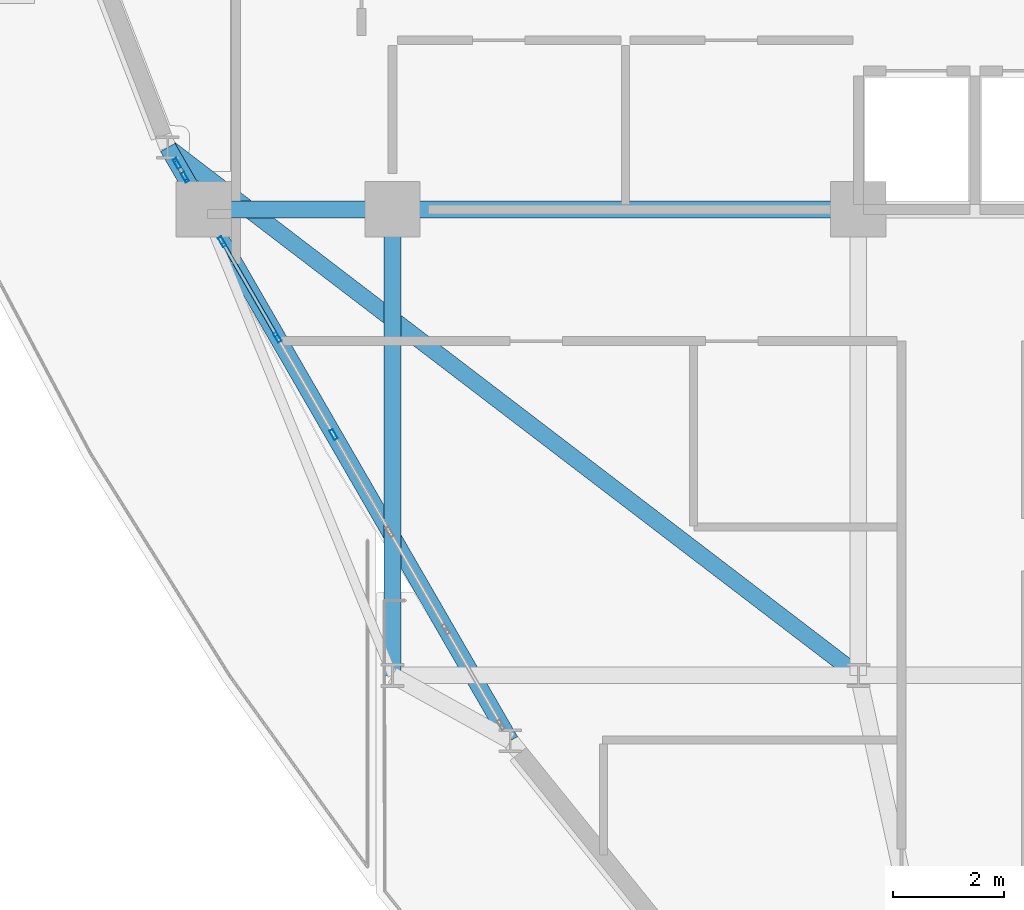
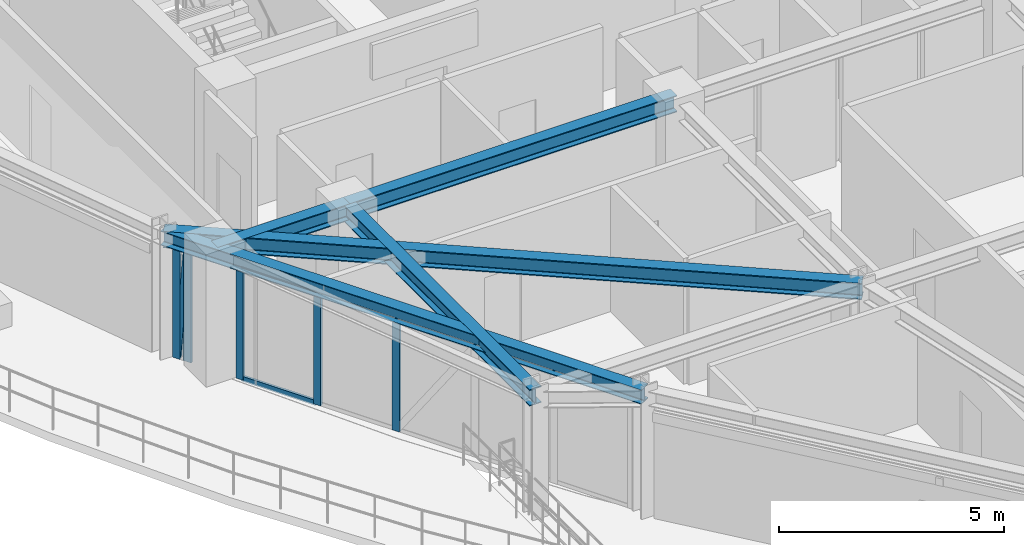
# One storey, part 4 of 19: 8 members, 5 beams, 2 elements without a shape of their own.
"""IFC4 building model written with IfcOpenShell, lengths in metres."""

from ifc_helpers import new_model, si_unit, derived_unit, direction, frame, origin, origin_2d, place, context, subcontext, project, spatial, hollow_rectangle, i_section, extrude, source, transform, mapped, material, layer, layer_set, material_profile, profile_set, type_object, element, aggregate, save


model = new_model("IFC4")

# Units and contexts
model_context = context("Model", 3, precision=1e-05, world=origin(), true_north=direction((0.0, 1.0)))
body_context = subcontext(model_context, "Body", "Model", "MODEL_VIEW")
ifc_project = project(units=[si_unit("LENGTHUNIT", "METRE"), si_unit("AREAUNIT", "SQUARE_METRE"), si_unit("VOLUMEUNIT", "CUBIC_METRE"), si_unit("PLANEANGLEUNIT", "RADIAN"), si_unit("MASSUNIT", "GRAM", prefix="KILO"), derived_unit("THERMALTRANSMITTANCEUNIT", [(si_unit("POWERUNIT", "WATT"), 1), (si_unit("LENGTHUNIT", "METRE"), -2), (si_unit("THERMODYNAMICTEMPERATUREUNIT", "KELVIN"), -1)])], contexts=[model_context])

# Site, building, storey
site_placement = place(None, origin())
site = spatial("IfcSite", under=ifc_project, at=site_placement, CompositionType="ELEMENT")
building_placement = place(site_placement, origin())
building = spatial("IfcBuilding", under=site, at=building_placement, Name="Korsvarv Bourse and Concert Hall", CompositionType="ELEMENT")
storey_placement = place(building_placement, frame((0.0, 0.0, 205.800048828125)))
storey = spatial("IfcBuildingStorey", under=building, at=storey_placement, Name="L53", CompositionType="ELEMENT", Elevation=205.800048828125)

# Beams
ifc_material_1 = material(Name="Steel S355", Category="steel")
ifc_material_profile_1 = material_profile(ifc_material_1, i_section(OverallWidth=0.300048828125, OverallDepth=0.449951171875, WebThickness=0.013916015625, FlangeThickness=0.02587890625, FilletRadius=0.02099609375, at=origin_2d()), Name="HEB 450")
ifc_profile_set_1 = profile_set([ifc_material_profile_1], Name="Steel S355")
beam_type_1 = type_object("IfcBeamType", Name="BM-HEB450", PredefinedType="SPANDREL", material=ifc_profile_set_1)
shared_shape_1 = source(origin(), body_context, "Body", "SweptSolid", [
    extrude(i_section(OverallWidth=0.300048828125, OverallDepth=0.449951171875, WebThickness=0.013916015625, FlangeThickness=0.02587890625, FilletRadius=0.02099609375, at=origin_2d()), origin(), (0.0, 0.0, 1.0), 3.400146484375),
])
beam_1_placement = place(storey_placement, frame((24.199951171875, 32.39990234375, 3.18505859375), z_axis=(1.0, 0.0, 0.0), x_axis=(0.0, 1.0, 0.0)))
element("IfcBeam", 1, at=beam_1_placement, inside=storey, type_object=beam_type_1, Name="L53 beam B-08", PredefinedType="SPANDREL", context=body_context, shape_type="MappedRepresentation", body=[
    mapped(shared_shape_1, transform((0.0, 0.0, 0.0), scale=1.0)),
])
shared_shape_2 = source(origin(), body_context, "Body", "SweptSolid", [
    extrude(i_section(OverallWidth=0.300048828125, OverallDepth=0.449951171875, WebThickness=0.013916015625, FlangeThickness=0.02587890625, FilletRadius=0.02099609375, at=origin_2d()), origin(), (0.0, 0.0, 1.0), 8.39990234375),
])
for number, where, z_axis, x_axis, name in (
    (2, (27.60009765625, 32.39990234375, 3.18505859375), (1.0, 0.0, 0.0), (0.0, 1.0, 0.0), "L53 beam B-08"),
    (3, (27.60009765625, 24.0, 3.18505859375), (0.0, 1.0, 0.0), (-1.0, 0.0, 0.0), "L53 beam B-08"),
):
    element("IfcBeam", number, at=place(storey_placement, frame(where, z_axis=z_axis, x_axis=x_axis)), inside=storey, type_object=beam_type_1, Name=name, PredefinedType="SPANDREL", context=body_context, shape_type="MappedRepresentation", body=[
        mapped(shared_shape_2, transform((0.0, 0.0, 0.0), scale=1.0)),
    ])
ifc_material_profile_2 = material_profile(ifc_material_1, i_section(OverallWidth=0.300048828125, OverallDepth=0.389892578125, WebThickness=0.010986328125, FlangeThickness=0.01904296875, FilletRadius=0.02099609375, at=origin_2d()), Name="HEA 400")
ifc_profile_set_2 = profile_set([ifc_material_profile_2], Name="Steel S355")
beam_type_2 = type_object("IfcBeamType", Name="BM-HEA400", PredefinedType="BEAM", material=ifc_profile_set_2)
shared_shape_3 = source(origin(), body_context, "Body", "SweptSolid", [
    extrude(i_section(OverallWidth=0.300048828125, OverallDepth=0.389892578125, WebThickness=0.010986328125, FlangeThickness=0.01904296875, FilletRadius=0.02099609375, at=origin_2d()), origin(), (0.0, 0.0, 1.0), 12.353271484375),
])
beam_2_placement = place(storey_placement, frame((23.548095703125, 33.518310546875, 3.21484375), z_axis=(0.500007577232, -0.866021029023, 0.0), x_axis=(0.866021029023, 0.500007577232, 0.0)))
element("IfcBeam", 4, at=beam_2_placement, inside=storey, type_object=beam_type_2, Name="L53 beam B-11", PredefinedType="BEAM", context=body_context, shape_type="MappedRepresentation", body=[
    mapped(shared_shape_3, transform((0.0, 0.0, 0.0), scale=1.0)),
])
shared_shape_4 = source(origin(), body_context, "Body", "SweptSolid", [
    extrude(i_section(OverallWidth=0.300048828125, OverallDepth=0.449951171875, WebThickness=0.013916015625, FlangeThickness=0.02587890625, FilletRadius=0.02099609375, at=origin_2d()), origin(), (0.0, 0.0, 1.0), 15.673095703125),
])
beam_3_placement = place(storey_placement, frame((23.548095703125, 33.518310546875, 3.18505859375), z_axis=(0.794472775514, -0.607299768621, 0.0), x_axis=(0.607299768621, 0.794472775514, 0.0)))
element("IfcBeam", 5, at=beam_3_placement, inside=storey, type_object=beam_type_1, Name="L53 beam B-08", PredefinedType="SPANDREL", context=body_context, shape_type="MappedRepresentation", body=[
    mapped(shared_shape_4, transform((0.0, 0.0, 0.0), scale=1.0)),
])

# Curtain wall, members
ifc_material_2 = material(Name="Anodised aluminium and triple low-E glazing", Category="glass")
ifc_layer = layer(ifc_material_2, 0.199951171875)
ifc_layer_set = layer_set([ifc_layer], Name="Anodised aluminium and triple low-E glazing")
curtain_wall_type = type_object("IfcCurtainWallType", Name="CW-SYS-3", PredefinedType="NOTDEFINED", material=ifc_layer_set)
curtain_wall_1_placement = place(storey_placement, origin())
curtain_wall_1 = element("IfcCurtainWall", 6, at=curtain_wall_1_placement, inside=storey, type_object=curtain_wall_type, Name="L53 CW3 curtain wall CW-L53-F07-2", PredefinedType="NOTDEFINED")
ifc_material_3 = material(Name="Extruded aluminium EN AW-6063 T66", Category="aluminium")
ifc_material_profile_3 = material_profile(ifc_material_3, hollow_rectangle(XDim=0.070068359375, YDim=0.18994140625, WallThickness=0.0048828125, at=origin_2d()), Name="ALU-M 70x190")
ifc_profile_set_3 = profile_set([ifc_material_profile_3], Name="Extruded aluminium EN AW-6063 T66")
member_type_1 = type_object("IfcMemberType", Name="CWM-190", PredefinedType="MULLION", material=ifc_profile_set_3)
shared_shape_5 = source(origin(), body_context, "Body", "SweptSolid", [
    extrude(hollow_rectangle(XDim=0.070068359375, YDim=0.18994140625, WallThickness=0.0048828125, at=origin_2d()), origin(), (0.0, 0.0, 1.0), 3.02001953125),
])
member_1_placement = place(storey_placement, frame((24.52880859375, 31.819580078125, 0.0), z_axis=(0.0, 0.0, 1.0), x_axis=(0.866026111776, 0.49999877372, 0.0)))
member_1 = element("IfcMember", 7, at=member_1_placement, type_object=member_type_1, Name="CW3 mullion 1", PredefinedType="MULLION", context=body_context, shape_type="MappedRepresentation", body=[
    mapped(shared_shape_5, transform((0.0, 0.0, 0.0), scale=1.0)),
])
member_2_placement = place(storey_placement, frame((25.5244140625, 30.095703125, 0.0), z_axis=(0.0, 0.0, 1.0), x_axis=(0.866026111776, 0.49999877372, 0.0)))
member_2 = element("IfcMember", 8, at=member_2_placement, type_object=member_type_1, Name="CW3 mullion 2", PredefinedType="MULLION", context=body_context, shape_type="MappedRepresentation", body=[
    mapped(shared_shape_5, transform((0.0, 0.0, 0.0), scale=1.0)),
])
member_3_placement = place(storey_placement, frame((26.537109375, 28.34130859375, 0.0), z_axis=(0.0, 0.0, 1.0), x_axis=(0.866026111776, 0.49999877372, 0.0)))
member_3 = element("IfcMember", 9, at=member_3_placement, type_object=member_type_1, Name="CW3 mullion 3", PredefinedType="MULLION", context=body_context, shape_type="MappedRepresentation", body=[
    mapped(shared_shape_5, transform((0.0, 0.0, 0.0), scale=1.0)),
])

curtain_wall_2_placement = place(storey_placement, origin())
curtain_wall_2 = element("IfcCurtainWall", 10, at=curtain_wall_2_placement, inside=storey, type_object=curtain_wall_type, Name="L53 CW3 curtain wall CW-L53-F07-1", PredefinedType="NOTDEFINED")
shared_shape_6 = source(origin(), body_context, "Body", "SweptSolid", [
    extrude(hollow_rectangle(XDim=0.070068359375, YDim=0.18994140625, WallThickness=0.0048828125, at=origin_2d()), origin(), (0.0, 0.0, 1.0), 2.9599609375),
])
member_4_placement = place(storey_placement, frame((23.714599609375, 33.22998046875, 0.0), z_axis=(0.0, 0.0, 1.0), x_axis=(0.866087988372, 0.499891584645, 0.0)))
member_4 = element("IfcMember", 11, at=member_4_placement, type_object=member_type_1, Name="CW3 mullion 1", PredefinedType="MULLION", context=body_context, shape_type="MappedRepresentation", body=[
    mapped(shared_shape_6, transform((0.0, 0.0, 0.0), scale=1.0)),
])
member_5_placement = place(storey_placement, frame((23.85888671875, 32.980224609375, 0.0), z_axis=(0.0, 0.0, 1.0), x_axis=(0.866087988372, 0.499891584645, 0.0)))
member_5 = element("IfcMember", 12, at=member_5_placement, type_object=member_type_1, Name="CW3 mullion 2", PredefinedType="MULLION", context=body_context, shape_type="MappedRepresentation", body=[
    mapped(shared_shape_6, transform((0.0, 0.0, 0.0), scale=1.0)),
])
ifc_material_profile_4 = material_profile(ifc_material_3, hollow_rectangle(XDim=0.06494140625, YDim=0.1650390625, WallThickness=0.0048828125, at=origin_2d()), Name="ALU-M 65x165")
ifc_profile_set_4 = profile_set([ifc_material_profile_4], Name="Extruded aluminium EN AW-6063 T66")
member_type_2 = type_object("IfcMemberType", Name="CWM-165", PredefinedType="MULLION", material=ifc_profile_set_4)
shared_shape_7 = source(origin(), body_context, "Body", "SweptSolid", [
    extrude(hollow_rectangle(XDim=0.06494140625, YDim=0.1650390625, WallThickness=0.0048828125, at=origin_2d()), origin(), (0.0, 0.0, 1.0), 2.83837890625),
])
member_6_placement = place(storey_placement, frame((23.732177734375, 33.19970703125, 0.06494140625), z_axis=(0.038446958263, -0.066572585448, 0.997040582056), x_axis=(0.865961984968, 0.500109828528, 0.0)))
member_6 = element("IfcMember", 13, at=member_6_placement, type_object=member_type_2, Name="CW3 diagonal mullion 1", PredefinedType="MULLION", context=body_context, shape_type="MappedRepresentation", body=[
    mapped(shared_shape_7, transform((0.0, 0.0, 0.0), scale=1.0)),
])
aggregate(curtain_wall_2, [member_4, member_5, member_6])

# Member
ifc_material_profile_5 = material_profile(ifc_material_3, hollow_rectangle(XDim=0.06494140625, YDim=0.139892578125, WallThickness=0.00390625, at=origin_2d()), Name="ALU-T 65x140")
ifc_profile_set_5 = profile_set([ifc_material_profile_5], Name="Extruded aluminium EN AW-6063 T66")
member_type_3 = type_object("IfcMemberType", Name="CWT-140", PredefinedType="USERDEFINED", material=ifc_profile_set_5)
shared_shape_8 = source(origin(), body_context, "Body", "SweptSolid", [
    extrude(hollow_rectangle(XDim=0.06494140625, YDim=0.139892578125, WallThickness=0.00390625, at=origin_2d()), origin(), (0.0, 0.0, 1.0), 1.920654296875),
])
member_7_placement = place(storey_placement, frame((24.54638671875, 31.789306640625, 0.032470703125), z_axis=(0.500048867987, -0.865997188001, 0.0), x_axis=(0.865997188001, 0.500048867987, 0.0)))
member_7 = element("IfcMember", 14, at=member_7_placement, type_object=member_type_3, Name="CW3 transom 1.1", ObjectType="TRANSOM", PredefinedType="USERDEFINED", context=body_context, shape_type="MappedRepresentation", body=[
    mapped(shared_shape_8, transform((0.0, 0.0, 0.0), scale=1.0)),
])

member_8_placement = place(storey_placement, frame((24.54638671875, 31.789306640625, 2.987548828125), z_axis=(0.500048867987, -0.865997188001, 0.0), x_axis=(0.865997188001, 0.500048867987, 0.0)))
member_8 = element("IfcMember", 15, at=member_8_placement, type_object=member_type_3, Name="CW3 transom 1.2", ObjectType="TRANSOM", PredefinedType="USERDEFINED", context=body_context, shape_type="MappedRepresentation", body=[
    mapped(shared_shape_8, transform((0.0, 0.0, 0.0), scale=1.0)),
])

aggregate(curtain_wall_1, [member_1, member_2, member_3, member_7, member_8])

save(model, "model.ifc")
